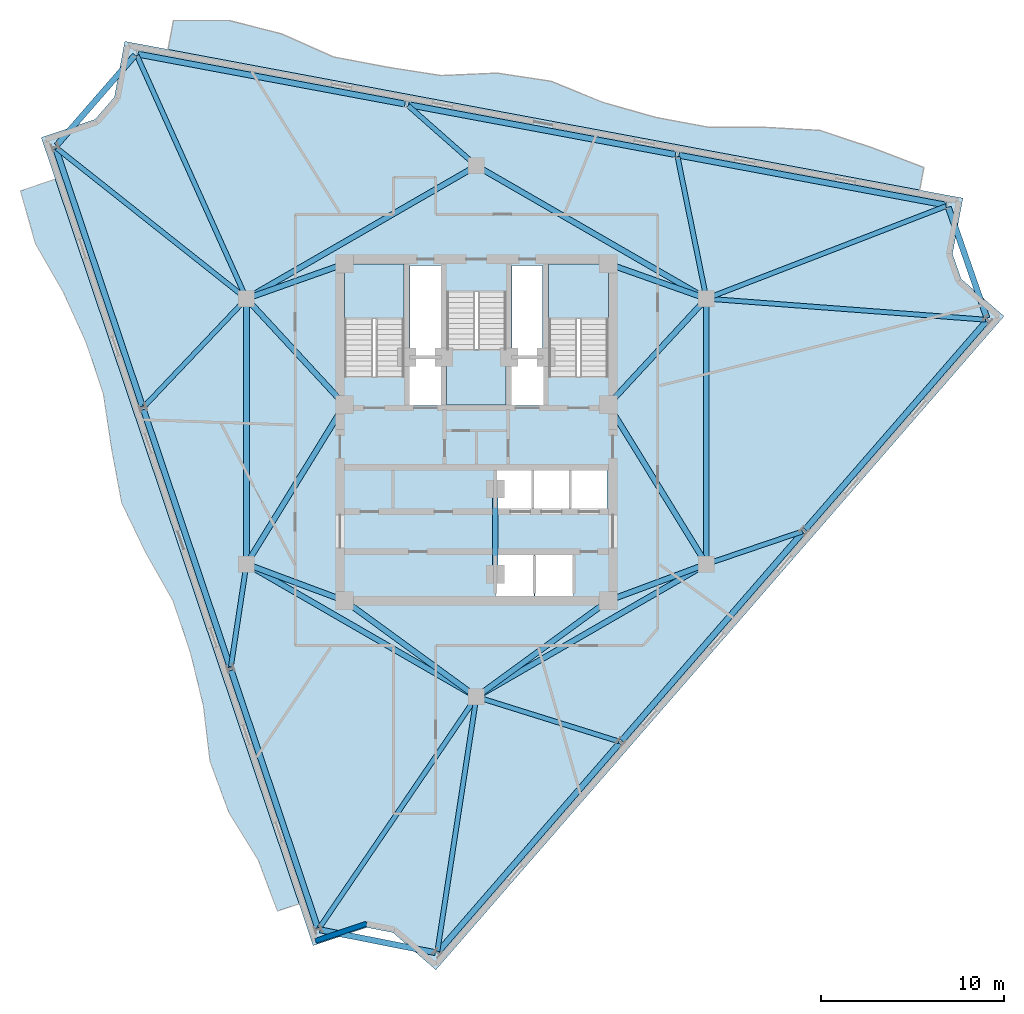
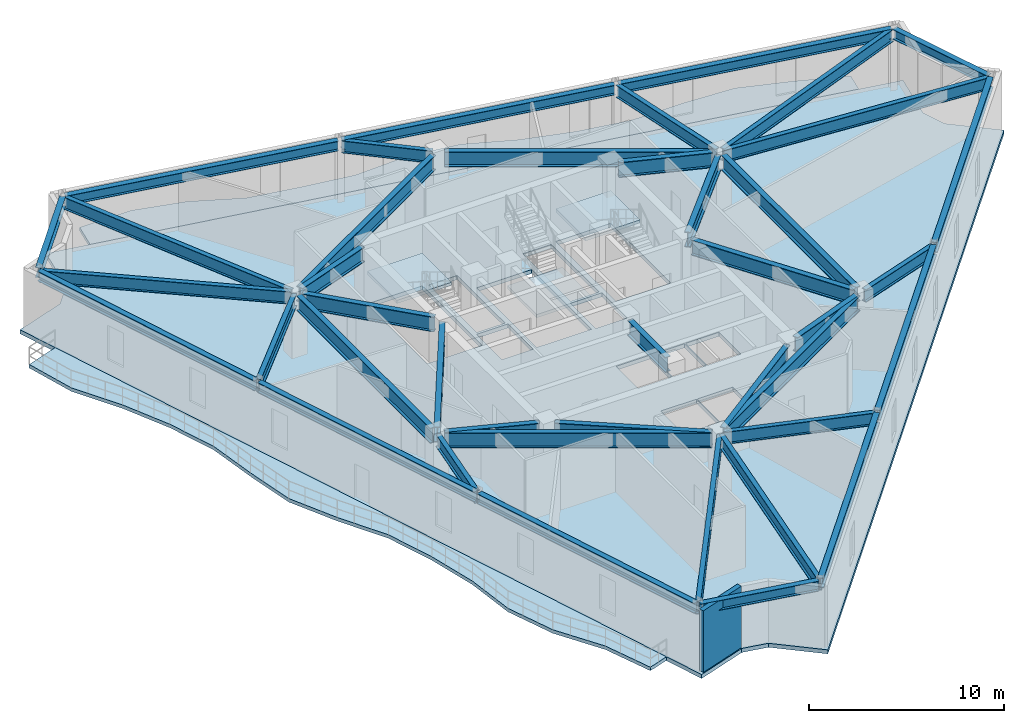
# One storey, part 3 of 9: 41 beams, 6 slabs, 1 wall, 3 elements without a shape of their own.
"""IFC4 building model written with IfcOpenShell, lengths in metres."""

from ifc_helpers import new_model, si_unit, direction, frame, frame_2d, origin, origin_2d, place, context, subcontext, project, spatial, polyline, rectangle, i_section, outline, extrude, material, layer, layer_set, material_profile, profile_set, type_object, element, aggregate, save


model = new_model("IFC4")

# Units and contexts
model_context = context("Model", 3, precision=1e-05, world=origin(), true_north=direction((0.0, 1.0)))
body_context = subcontext(model_context, "Body", "Model", "MODEL_VIEW")
ifc_project = project(units=[si_unit("LENGTHUNIT", "METRE"), si_unit("AREAUNIT", "SQUARE_METRE"), si_unit("VOLUMEUNIT", "CUBIC_METRE"), si_unit("PLANEANGLEUNIT", "RADIAN"), si_unit("MASSUNIT", "GRAM", prefix="KILO")], contexts=[model_context])

# Site, building, storey
site_placement = place(None, origin())
site = spatial("IfcSite", under=ifc_project, at=site_placement, CompositionType="ELEMENT")
building_placement = place(site_placement, origin())
building = spatial("IfcBuilding", under=site, at=building_placement, Name="Apsidion Concourse Tower", CompositionType="ELEMENT")
storey_placement = place(building_placement, frame((0.0, 0.0, 277.800048828125)))
storey = spatial("IfcBuildingStorey", under=building, at=storey_placement, Name="L65", CompositionType="ELEMENT", Elevation=277.800048828125)

# Beams
ifc_material_1 = material(Name="Structural steel ASTM A992 Grade 50", Category="steel")
ifc_material_profile_1 = material_profile(ifc_material_1, i_section(OverallWidth=0.31005859375, OverallDepth=0.931884765625, WebThickness=0.02099609375, FlangeThickness=0.034423828125, at=origin_2d()), Name="W36X210")
ifc_profile_set_1 = profile_set([ifc_material_profile_1], Name="Structural steel ASTM A992 Grade 50")
beam_type_1 = type_object("IfcBeamType", Name="BM-G-W36", PredefinedType="USERDEFINED", material=ifc_profile_set_1)
beam_1_placement = place(storey_placement, frame((-12.185302734375, -7.389892578125, 3.384033203125), z_axis=(0.936913021145, -0.349562570664, 0.0), x_axis=(0.349562570664, 0.936913021145, 0.0)))
element("IfcBeam", 1, at=beam_1_placement, inside=storey, type_object=beam_type_1, Name="L65 Core Coupling Girder IC1-SC1", ObjectType="GIRDER", PredefinedType="USERDEFINED", context=body_context, shape_type="SweptSolid", body=[
    extrude(i_section(OverallWidth=0.31005859375, OverallDepth=0.931884765625, WebThickness=0.02099609375, FlangeThickness=0.034423828125, at=origin_2d()), origin(), (0.0, 0.0, 1.0), 4.921142578125),
])
beam_2_placement = place(storey_placement, frame((-12.35009765625, -6.909423828125, 3.384033203125), z_axis=(0.524524009763, 0.851395656074, 0.0), x_axis=(-0.851395656074, 0.524524009763, 0.0)))
element("IfcBeam", 2, at=beam_2_placement, inside=storey, type_object=beam_type_1, Name="L65 Core Coupling Girder IC1-SC6", ObjectType="GIRDER", PredefinedType="USERDEFINED", context=body_context, shape_type="SweptSolid", body=[
    extrude(i_section(OverallWidth=0.31005859375, OverallDepth=0.931884765625, WebThickness=0.02099609375, FlangeThickness=0.034423828125, at=origin_2d()), origin(), (0.0, 0.0, 1.0), 9.41845703125),
])
beam_3_placement = place(storey_placement, frame((12.185302734375, -7.389892578125, 3.384033203125), z_axis=(-0.936913021145, -0.349562570664, 0.0), x_axis=(0.349562570664, -0.936913021145, 0.0)))
element("IfcBeam", 3, at=beam_3_placement, inside=storey, type_object=beam_type_1, Name="L65 Core Coupling Girder IC2-SC2", ObjectType="GIRDER", PredefinedType="USERDEFINED", context=body_context, shape_type="SweptSolid", body=[
    extrude(i_section(OverallWidth=0.31005859375, OverallDepth=0.931884765625, WebThickness=0.02099609375, FlangeThickness=0.034423828125, at=origin_2d()), origin(), (0.0, 0.0, 1.0), 4.921142578125),
])
beam_4_placement = place(storey_placement, frame((12.35009765625, -6.909423828125, 3.384033203125), z_axis=(-0.524524009763, 0.851395656074, 0.0), x_axis=(-0.851395656074, -0.524524009763, 0.0)))
element("IfcBeam", 4, at=beam_4_placement, inside=storey, type_object=beam_type_1, Name="L65 Core Coupling Girder IC2-SC3", ObjectType="GIRDER", PredefinedType="USERDEFINED", context=body_context, shape_type="SweptSolid", body=[
    extrude(i_section(OverallWidth=0.31005859375, OverallDepth=0.931884765625, WebThickness=0.02099609375, FlangeThickness=0.034423828125, at=origin_2d()), origin(), (0.0, 0.0, 1.0), 9.41845703125),
])
beam_5_placement = place(storey_placement, frame((12.28857421875, 6.956298828125, 3.384033203125), z_axis=(-0.678712876106, -0.73440372535, 0.0), x_axis=(0.73440372535, -0.678712876106, 0.0)))
element("IfcBeam", 5, at=beam_5_placement, inside=storey, type_object=beam_type_1, Name="L65 Core Coupling Girder IC3-SC3", ObjectType="GIRDER", PredefinedType="USERDEFINED", context=body_context, shape_type="SweptSolid", body=[
    extrude(i_section(OverallWidth=0.31005859375, OverallDepth=0.931884765625, WebThickness=0.02099609375, FlangeThickness=0.034423828125, at=origin_2d()), origin(), (0.0, 0.0, 1.0), 7.097412109375),
])
beam_6_placement = place(storey_placement, frame((12.18310546875, 7.383544921875, 3.384033203125), z_axis=(-0.942533844539, 0.334110688094, 0.0), x_axis=(-0.334110688094, -0.942533844539, 0.0)))
element("IfcBeam", 6, at=beam_6_placement, inside=storey, type_object=beam_type_1, Name="L65 Core Coupling Girder IC3-SC4", ObjectType="GIRDER", PredefinedType="USERDEFINED", context=body_context, shape_type="SweptSolid", body=[
    extrude(i_section(OverallWidth=0.31005859375, OverallDepth=0.931884765625, WebThickness=0.02099609375, FlangeThickness=0.034423828125, at=origin_2d()), origin(), (0.0, 0.0, 1.0), 4.886962890625),
])
beam_7_placement = place(storey_placement, frame((-12.28857421875, 6.956298828125, 3.384033203125), z_axis=(0.678712876106, -0.73440372535, 0.0), x_axis=(0.73440372535, 0.678712876106, 0.0)))
element("IfcBeam", 7, at=beam_7_placement, inside=storey, type_object=beam_type_1, Name="L65 Core Coupling Girder IC5-SC6", ObjectType="GIRDER", PredefinedType="USERDEFINED", context=body_context, shape_type="SweptSolid", body=[
    extrude(i_section(OverallWidth=0.31005859375, OverallDepth=0.931884765625, WebThickness=0.02099609375, FlangeThickness=0.034423828125, at=origin_2d()), origin(), (0.0, 0.0, 1.0), 7.097412109375),
])
beam_8_placement = place(storey_placement, frame((-12.18310546875, 7.383544921875, 3.384033203125), z_axis=(0.942533844539, 0.334110688094, 0.0), x_axis=(-0.334110688094, 0.942533844539, 0.0)))
element("IfcBeam", 8, at=beam_8_placement, inside=storey, type_object=beam_type_1, Name="L65 Core Coupling Girder IC5-SC5", ObjectType="GIRDER", PredefinedType="USERDEFINED", context=body_context, shape_type="SweptSolid", body=[
    extrude(i_section(OverallWidth=0.31005859375, OverallDepth=0.931884765625, WebThickness=0.02099609375, FlangeThickness=0.034423828125, at=origin_2d()), origin(), (0.0, 0.0, 1.0), 4.886962890625),
])
for number, where, z_axis, x_axis, name in (
    (9, (-0.3232421875, -14.264404296875, 3.384033203125), (-0.807993498909, 0.589191399905, 0.0), (-0.589191399905, -0.807993498909, 0.0), "L65 Core Coupling Girder IC6-SC1"),
    (10, (0.3232421875, -14.264404296875, 3.384033203125), (0.807993498909, 0.589191399905, 0.0), (-0.589191399905, 0.807993498909, 0.0), "L65 Core Coupling Girder IC6-SC2"),
):
    element("IfcBeam", number, at=place(storey_placement, frame(where, z_axis=z_axis, x_axis=x_axis)), inside=storey, type_object=beam_type_1, Name=name, ObjectType="GIRDER", PredefinedType="USERDEFINED", context=body_context, shape_type="SweptSolid", body=[
        extrude(i_section(OverallWidth=0.31005859375, OverallDepth=0.931884765625, WebThickness=0.02099609375, FlangeThickness=0.034423828125, at=origin_2d()), origin(), (0.0, 0.0, 1.0), 8.11083984375),
    ])
beam_9_placement = place(storey_placement, frame((-12.56005859375, -6.85009765625, 3.384033203125), z_axis=(0.0, 1.0, 0.0), x_axis=(-1.0, 0.0, 0.0)))
element("IfcBeam", 11, at=beam_9_placement, inside=storey, type_object=beam_type_1, Name="L65 Core Coupling Girder IC1-IC5", ObjectType="GIRDER", PredefinedType="USERDEFINED", context=body_context, shape_type="SweptSolid", body=[
    extrude(i_section(OverallWidth=0.31005859375, OverallDepth=0.931884765625, WebThickness=0.02099609375, FlangeThickness=0.034423828125, at=origin_2d()), origin(), (0.0, 0.0, 1.0), 13.7001953125),
])
for number, where, z_axis, x_axis, name in (
    (12, (-12.213623046875, 7.449951171875, 3.384033203125), (0.866070471464, 0.499921932364, 0.0), (-0.499921932364, 0.866070471464, 0.0), "L65 Core Coupling Girder IC5-IC4"),
    (13, (0.346435546875, 14.300048828125, 3.384033203125), (0.866070471464, -0.499921932364, 0.0), (0.499921932364, 0.866070471464, 0.0), "L65 Core Coupling Girder IC4-IC3"),
):
    element("IfcBeam", number, at=place(storey_placement, frame(where, z_axis=z_axis, x_axis=x_axis)), inside=storey, type_object=beam_type_1, Name=name, ObjectType="GIRDER", PredefinedType="USERDEFINED", context=body_context, shape_type="SweptSolid", body=[
        extrude(i_section(OverallWidth=0.31005859375, OverallDepth=0.931884765625, WebThickness=0.02099609375, FlangeThickness=0.034423828125, at=origin_2d()), origin(), (0.0, 0.0, 1.0), 13.702392578125),
    ])
beam_10_placement = place(storey_placement, frame((12.56005859375, 6.85009765625, 3.384033203125), z_axis=(0.0, -1.0, 0.0), x_axis=(1.0, 0.0, 0.0)))
element("IfcBeam", 14, at=beam_10_placement, inside=storey, type_object=beam_type_1, Name="L65 Core Coupling Girder IC3-IC2", ObjectType="GIRDER", PredefinedType="USERDEFINED", context=body_context, shape_type="SweptSolid", body=[
    extrude(i_section(OverallWidth=0.31005859375, OverallDepth=0.931884765625, WebThickness=0.02099609375, FlangeThickness=0.034423828125, at=origin_2d()), origin(), (0.0, 0.0, 1.0), 13.7001953125),
])
for number, where, z_axis, x_axis, name in (
    (15, (12.213623046875, -7.449951171875, 3.384033203125), (-0.866070471464, -0.499921932364, 0.0), (0.499921932364, -0.866070471464, 0.0), "L65 Core Coupling Girder IC2-IC6"),
    (16, (-0.346435546875, -14.300048828125, 3.384033203125), (-0.866070471464, 0.499921932364, 0.0), (-0.499921932364, -0.866070471464, 0.0), "L65 Core Coupling Girder IC6-IC1"),
):
    element("IfcBeam", number, at=place(storey_placement, frame(where, z_axis=z_axis, x_axis=x_axis)), inside=storey, type_object=beam_type_1, Name=name, ObjectType="GIRDER", PredefinedType="USERDEFINED", context=body_context, shape_type="SweptSolid", body=[
        extrude(i_section(OverallWidth=0.31005859375, OverallDepth=0.931884765625, WebThickness=0.02099609375, FlangeThickness=0.034423828125, at=origin_2d()), origin(), (0.0, 0.0, 1.0), 13.702392578125),
    ])
beam_11_placement = place(storey_placement, frame((1.02490234375, -3.550048828125, 3.384033203125), z_axis=(0.0, -1.0, 0.0), x_axis=(1.0, 0.0, 0.0)))
element("IfcBeam", 17, at=beam_11_placement, inside=storey, type_object=beam_type_1, Name="L65 Core Coupling Girder CC5-CC6", ObjectType="GIRDER", PredefinedType="USERDEFINED", context=body_context, shape_type="SweptSolid", body=[
    extrude(i_section(OverallWidth=0.31005859375, OverallDepth=0.931884765625, WebThickness=0.02099609375, FlangeThickness=0.034423828125, at=origin_2d()), origin(), (0.0, 0.0, 1.0), 3.849853515625),
])
ifc_material_profile_2 = material_profile(ifc_material_1, i_section(OverallWidth=0.324951171875, OverallDepth=0.616943359375, WebThickness=0.013916015625, FlangeThickness=0.021484375, at=origin_2d()), Name="W24X117")
ifc_profile_set_2 = profile_set([ifc_material_profile_2], Name="Structural steel ASTM A992 Grade 50")
beam_type_2 = type_object("IfcBeamType", Name="BM-SP-W24", PredefinedType="SPANDREL", material=ifc_profile_set_2)
for number, where, z_axis, x_axis, name in (
    (18, (-22.97265625, 15.436279296875, 3.54150390625), (0.318681523158, -0.947861850059, 0.0), (0.947861850059, 0.318681523158, 0.0), "L65 Perimeter Spandrel Girder SP-01"),
    (19, (-18.18310546875, 1.191162109375, 3.54150390625), (0.318661757859, -0.94786849514, 0.0), (0.94786849514, 0.318661757859, 0.0), "L65 Perimeter Spandrel Girder SP-02"),
    (20, (-13.393798828125, -13.05419921875, 3.54150390625), (0.318681523158, -0.947861850059, 0.0), (0.947861850059, 0.318681523158, 0.0), "L65 Perimeter Spandrel Girder SP-03"),
):
    element("IfcBeam", number, at=place(storey_placement, frame(where, z_axis=z_axis, x_axis=x_axis)), inside=storey, type_object=beam_type_2, Name=name, PredefinedType="SPANDREL", context=body_context, shape_type="SweptSolid", body=[
        extrude(i_section(OverallWidth=0.324951171875, OverallDepth=0.616943359375, WebThickness=0.013916015625, FlangeThickness=0.021484375, at=origin_2d()), origin(), (0.0, 0.0, 1.0), 14.82861328125),
    ])
beam_12_placement = place(storey_placement, frame((-8.538330078125, -27.223876953125, 3.54150390625), z_axis=(0.980920203242, -0.194410788981, 0.0), x_axis=(0.194410788981, 0.980920203242, 0.0)))
element("IfcBeam", 21, at=beam_12_placement, inside=storey, type_object=beam_type_2, Name="L65 Perimeter Spandrel Girder SP-04", PredefinedType="SPANDREL", context=body_context, shape_type="SweptSolid", body=[
    extrude(i_section(OverallWidth=0.324951171875, OverallDepth=0.616943359375, WebThickness=0.013916015625, FlangeThickness=0.021484375, at=origin_2d()), origin(), (0.0, 0.0, 1.0), 6.415771484375),
])
beam_13_placement = place(storey_placement, frame((-2.081298828125, -28.4150390625, 3.54150390625), z_axis=(0.656066832384, 0.754702796766, 0.0), x_axis=(-0.754702796766, 0.656066832384, 0.0)))
element("IfcBeam", 22, at=beam_13_placement, inside=storey, type_object=beam_type_2, Name="L65 Perimeter Spandrel Girder SP-05", PredefinedType="SPANDREL", context=body_context, shape_type="SweptSolid", body=[
    extrude(i_section(OverallWidth=0.324951171875, OverallDepth=0.616943359375, WebThickness=0.013916015625, FlangeThickness=0.021484375, at=origin_2d()), origin(), (0.0, 0.0, 1.0), 15.07373046875),
])
for number, where, z_axis, x_axis, name in (
    (23, (7.939208984375, -16.8876953125, 3.54150390625), (0.656074851848, 0.754695825332, 0.0), (-0.754695825332, 0.656074851848, 0.0), "L65 Perimeter Spandrel Girder SP-06"),
    (24, (17.959716796875, -5.360595703125, 3.54150390625), (0.656065626683, 0.754703844885, 0.0), (-0.754703844885, 0.656065626683, 0.0), "L65 Perimeter Spandrel Girder SP-07"),
):
    element("IfcBeam", number, at=place(storey_placement, frame(where, z_axis=z_axis, x_axis=x_axis)), inside=storey, type_object=beam_type_2, Name=name, PredefinedType="SPANDREL", context=body_context, shape_type="SweptSolid", body=[
        extrude(i_section(OverallWidth=0.324951171875, OverallDepth=0.616943359375, WebThickness=0.013916015625, FlangeThickness=0.021484375, at=origin_2d()), origin(), (0.0, 0.0, 1.0), 15.073486328125),
    ])
beam_14_placement = place(storey_placement, frame((27.881591796875, 6.185302734375, 3.54150390625), z_axis=(-0.328995813691, 0.944331379641, 0.0), x_axis=(-0.944331379641, -0.328995813691, 0.0)))
element("IfcBeam", 25, at=beam_14_placement, inside=storey, type_object=beam_type_2, Name="L65 Perimeter Spandrel Girder SP-08", PredefinedType="SPANDREL", context=body_context, shape_type="SweptSolid", body=[
    extrude(i_section(OverallWidth=0.324951171875, OverallDepth=0.616943359375, WebThickness=0.013916015625, FlangeThickness=0.021484375, at=origin_2d()), origin(), (0.0, 0.0, 1.0), 6.416015625),
])
beam_15_placement = place(storey_placement, frame((25.639404296875, 12.35693359375, 3.54150390625), z_axis=(-0.982990339522, 0.183657268861, 0.0), x_axis=(-0.183657268861, -0.982990339522, 0.0)))
element("IfcBeam", 26, at=beam_15_placement, inside=storey, type_object=beam_type_2, Name="L65 Perimeter Spandrel Girder SP-09", PredefinedType="SPANDREL", context=body_context, shape_type="SweptSolid", body=[
    extrude(i_section(OverallWidth=0.324951171875, OverallDepth=0.616943359375, WebThickness=0.013916015625, FlangeThickness=0.021484375, at=origin_2d()), origin(), (0.0, 0.0, 1.0), 14.82861328125),
])
for number, where, z_axis, x_axis, name in (
    (27, (10.866455078125, 15.1171875, 3.54150390625), (-0.982990894844, 0.183654296586, 0.0), (-0.183654296586, -0.982990894844, 0.0), "L65 Perimeter Spandrel Girder SP-10"),
    (28, (-3.90673828125, 17.877197265625, 3.54150390625), (-0.982990894844, 0.183654296586, 0.0), (-0.183654296586, -0.982990894844, 0.0), "L65 Perimeter Spandrel Girder SP-11"),
):
    element("IfcBeam", number, at=place(storey_placement, frame(where, z_axis=z_axis, x_axis=x_axis)), inside=storey, type_object=beam_type_2, Name=name, PredefinedType="SPANDREL", context=body_context, shape_type="SweptSolid", body=[
        extrude(i_section(OverallWidth=0.324951171875, OverallDepth=0.616943359375, WebThickness=0.013916015625, FlangeThickness=0.021484375, at=origin_2d()), origin(), (0.0, 0.0, 1.0), 14.828857421875),
    ])
beam_16_placement = place(storey_placement, frame((-18.647216796875, 20.543701171875, 3.54150390625), z_axis=(-0.656065057343, -0.754704339814, 0.0), x_axis=(0.754704339814, -0.656065057343, 0.0)))
element("IfcBeam", 29, at=beam_16_placement, inside=storey, type_object=beam_type_2, Name="L65 Perimeter Spandrel Girder SP-12", PredefinedType="SPANDREL", context=body_context, shape_type="SweptSolid", body=[
    extrude(i_section(OverallWidth=0.324951171875, OverallDepth=0.616943359375, WebThickness=0.013916015625, FlangeThickness=0.021484375, at=origin_2d()), origin(), (0.0, 0.0, 1.0), 6.541748046875),
])
ifc_material_profile_3 = material_profile(ifc_material_1, i_section(OverallWidth=0.26806640625, OverallDepth=0.77001953125, WebThickness=0.015625, FlangeThickness=0.025390625, at=origin_2d()), Name="W30X132")
ifc_profile_set_3 = profile_set([ifc_material_profile_3], Name="Structural steel ASTM A992 Grade 50")
beam_type_3 = type_object("IfcBeamType", Name="BM-SP-W30", PredefinedType="SPANDREL", material=ifc_profile_set_3)
beam_17_placement = place(storey_placement, frame((-12.732421875, 7.38671875, 3.46484375), z_axis=(-0.783584000329, 0.621285855648, 0.0), x_axis=(-0.621285855648, -0.783584000329, 0.0)))
element("IfcBeam", 30, at=beam_17_placement, inside=storey, type_object=beam_type_3, Name="L65 Radial Floor Girder RAD-01", PredefinedType="SPANDREL", context=body_context, shape_type="SweptSolid", body=[
    extrude(i_section(OverallWidth=0.26806640625, OverallDepth=0.77001953125, WebThickness=0.015625, FlangeThickness=0.025390625, at=origin_2d()), origin(), (0.0, 0.0, 1.0), 13.009033203125),
])
beam_18_placement = place(storey_placement, frame((-12.71142578125, 7.09033203125, 3.46484375), z_axis=(-0.688064364837, -0.72564966054, 0.0), x_axis=(0.72564966054, -0.688064364837, 0.0)))
element("IfcBeam", 31, at=beam_18_placement, inside=storey, type_object=beam_type_3, Name="L65 Radial Floor Girder RAD-02", PredefinedType="SPANDREL", context=body_context, shape_type="SweptSolid", body=[
    extrude(i_section(OverallWidth=0.26806640625, OverallDepth=0.77001953125, WebThickness=0.015625, FlangeThickness=0.025390625, at=origin_2d()), origin(), (0.0, 0.0, 1.0), 7.898681640625),
])
beam_19_placement = place(storey_placement, frame((-12.593017578125, -7.467529296875, 3.46484375), z_axis=(-0.149944598724, -0.988694400365, 0.0), x_axis=(0.988694400365, -0.149944598724, 0.0)))
element("IfcBeam", 32, at=beam_19_placement, inside=storey, type_object=beam_type_3, Name="L65 Radial Floor Girder RAD-03", PredefinedType="SPANDREL", context=body_context, shape_type="SweptSolid", body=[
    extrude(i_section(OverallWidth=0.26806640625, OverallDepth=0.77001953125, WebThickness=0.015625, FlangeThickness=0.025390625, at=origin_2d()), origin(), (0.0, 0.0, 1.0), 5.45458984375),
])
beam_20_placement = place(storey_placement, frame((-0.123779296875, -14.681884765625, 3.46484375), z_axis=(-0.56217993865, -0.827014943383, 0.0), x_axis=(0.827014943383, -0.56217993865, 0.0)))
element("IfcBeam", 33, at=beam_20_placement, inside=storey, type_object=beam_type_3, Name="L65 Radial Floor Girder RAD-04", PredefinedType="SPANDREL", context=body_context, shape_type="SweptSolid", body=[
    extrude(i_section(OverallWidth=0.26806640625, OverallDepth=0.77001953125, WebThickness=0.015625, FlangeThickness=0.025390625, at=origin_2d()), origin(), (0.0, 0.0, 1.0), 15.0419921875),
])
beam_21_placement = place(storey_placement, frame((-0.033447265625, -14.717529296875, 3.46484375), z_axis=(-0.151664637663, -0.988432009641, 0.0), x_axis=(0.988432009641, -0.151664637663, 0.0)))
element("IfcBeam", 34, at=beam_21_placement, inside=storey, type_object=beam_type_3, Name="L65 Radial Floor Girder RAD-05", PredefinedType="SPANDREL", context=body_context, shape_type="SweptSolid", body=[
    extrude(i_section(OverallWidth=0.26806640625, OverallDepth=0.77001953125, WebThickness=0.015625, FlangeThickness=0.025390625, at=origin_2d()), origin(), (0.0, 0.0, 1.0), 13.833984375),
])
beam_22_placement = place(storey_placement, frame((0.2099609375, -14.565673828125, 3.46484375), z_axis=(0.954387901166, -0.298569479532, 0.0), x_axis=(0.298569479532, 0.954387901166, 0.0)))
element("IfcBeam", 35, at=beam_22_placement, inside=storey, type_object=beam_type_3, Name="L65 Radial Floor Girder RAD-06", PredefinedType="SPANDREL", context=body_context, shape_type="SweptSolid", body=[
    extrude(i_section(OverallWidth=0.26806640625, OverallDepth=0.77001953125, WebThickness=0.015625, FlangeThickness=0.025390625, at=origin_2d()), origin(), (0.0, 0.0, 1.0), 7.93017578125),
])
beam_23_placement = place(storey_placement, frame((12.768310546875, -7.17919921875, 3.46484375), z_axis=(0.946764063089, 0.321928266612, 0.0), x_axis=(-0.321928266612, 0.946764063089, 0.0)))
element("IfcBeam", 36, at=beam_23_placement, inside=storey, type_object=beam_type_3, Name="L65 Radial Floor Girder RAD-07", PredefinedType="SPANDREL", context=body_context, shape_type="SweptSolid", body=[
    extrude(i_section(OverallWidth=0.26806640625, OverallDepth=0.77001953125, WebThickness=0.015625, FlangeThickness=0.025390625, at=origin_2d()), origin(), (0.0, 0.0, 1.0), 5.31396484375),
])
beam_24_placement = place(storey_placement, frame((12.779296875, 7.2333984375, 3.46484375), z_axis=(0.997162813541, -0.075274984495, 0.0), x_axis=(0.075274984495, 0.997162813541, 0.0)))
element("IfcBeam", 37, at=beam_24_placement, inside=storey, type_object=beam_type_3, Name="L65 Radial Floor Girder RAD-08", PredefinedType="SPANDREL", context=body_context, shape_type="SweptSolid", body=[
    extrude(i_section(OverallWidth=0.26806640625, OverallDepth=0.77001953125, WebThickness=0.015625, FlangeThickness=0.025390625, at=origin_2d()), origin(), (0.0, 0.0, 1.0), 15.078125),
])
beam_25_placement = place(storey_placement, frame((12.76513671875, 7.3291015625, 3.46484375), z_axis=(0.932864861943, 0.360226525053, 0.0), x_axis=(-0.360226525053, 0.932864861943, 0.0)))
element("IfcBeam", 38, at=beam_25_placement, inside=storey, type_object=beam_type_3, Name="L65 Radial Floor Girder RAD-09", PredefinedType="SPANDREL", context=body_context, shape_type="SweptSolid", body=[
    extrude(i_section(OverallWidth=0.26806640625, OverallDepth=0.77001953125, WebThickness=0.015625, FlangeThickness=0.025390625, at=origin_2d()), origin(), (0.0, 0.0, 1.0), 13.806396484375),
])
beam_26_placement = place(storey_placement, frame((12.51611328125, 7.465576171875, 3.46484375), z_axis=(-0.199174271345, 0.97996408589, 0.0), x_axis=(-0.97996408589, -0.199174271345, 0.0)))
element("IfcBeam", 39, at=beam_26_placement, inside=storey, type_object=beam_type_3, Name="L65 Radial Floor Girder RAD-10", PredefinedType="SPANDREL", context=body_context, shape_type="SweptSolid", body=[
    extrude(i_section(OverallWidth=0.26806640625, OverallDepth=0.77001953125, WebThickness=0.015625, FlangeThickness=0.025390625, at=origin_2d()), origin(), (0.0, 0.0, 1.0), 7.689208984375),
])
beam_27_placement = place(storey_placement, frame((-0.1650390625, 14.6455078125, 3.46484375), z_axis=(-0.749977100091, 0.661463792917, 0.0), x_axis=(-0.661463792917, -0.749977100091, 0.0)))
element("IfcBeam", 40, at=beam_27_placement, inside=storey, type_object=beam_type_3, Name="L65 Radial Floor Girder RAD-11", PredefinedType="SPANDREL", context=body_context, shape_type="SweptSolid", body=[
    extrude(i_section(OverallWidth=0.26806640625, OverallDepth=0.77001953125, WebThickness=0.015625, FlangeThickness=0.025390625, at=origin_2d()), origin(), (0.0, 0.0, 1.0), 4.758056640625),
])
beam_28_placement = place(storey_placement, frame((-12.650390625, 7.45068359375, 3.46484375), z_axis=(-0.410678909967, 0.911780035375, 0.0), x_axis=(-0.911780035375, -0.410678909967, 0.0)))
element("IfcBeam", 41, at=beam_28_placement, inside=storey, type_object=beam_type_3, Name="L65 Radial Floor Girder RAD-12", PredefinedType="SPANDREL", context=body_context, shape_type="SweptSolid", body=[
    extrude(i_section(OverallWidth=0.26806640625, OverallDepth=0.77001953125, WebThickness=0.015625, FlangeThickness=0.025390625, at=origin_2d()), origin(), (0.0, 0.0, 1.0), 14.342529296875),
])

# Slabs
ifc_material_2 = material(Name="Concrete C50/60", Category="concrete")
ifc_layer_1 = layer(ifc_material_2, 0.219970703125)
ifc_layer_set_1 = layer_set([ifc_layer_1], Name="Concrete C50/60")
slab_type_1 = type_object("IfcSlabType", Name="SL-BAL-220", PredefinedType="FLOOR", material=ifc_layer_set_1)
slab_1_placement = place(storey_placement, frame((0.0, 0.0, -0.219970703125)))
element("IfcSlab", 42, at=slab_1_placement, inside=storey, type_object=slab_type_1, Name="L65 Face 3 Rippling Balcony Slab", PredefinedType="FLOOR", context=body_context, shape_type="SweptSolid", body=[
    extrude(outline(polyline([(24.208251953125, 13.178955078125), (21.276123046875, 13.7275390625), (18.343994140625, 14.27587890625), (15.41162109375, 14.824462890625), (12.4794921875, 15.373046875), (9.54736328125, 15.921630859375), (6.615234375, 16.47021484375), (3.68310546875, 17.018798828125), (0.750732421875, 17.567138671875), (-2.181396484375, 18.11572265625), (-5.113525390625, 18.664306640625), (-8.045654296875, 19.212890625), (-10.977783203125, 19.761474609375), (-13.91015625, 20.309814453125), (-16.84228515625, 20.8583984375), (-16.546142578125, 22.44140625), (-13.510986328125, 22.442626953125), (-10.615478515625, 21.69921875), (-7.814453125, 20.449462890625), (-4.8837890625, 19.89306640625), (-1.935302734375, 19.4306640625), (1.124755859375, 19.56591796875), (4.076171875, 19.12060546875), (6.8955078125, 17.96826171875), (9.777099609375, 17.150390625), (12.70947265625, 16.601806640625), (15.74462890625, 16.6044921875), (18.748291015625, 16.4384765625), (21.606201171875, 15.49169921875), (24.43798828125, 14.40771484375), (24.208251953125, 13.178955078125)])), origin(), (0.0, 0.0, 1.0), 0.219970703125),
])
slab_2_placement = place(storey_placement, frame((0.0, 0.0, -0.219970703125)))
element("IfcSlab", 43, at=slab_2_placement, inside=storey, type_object=slab_type_1, Name="L65 Face 1 Rippling Balcony Slab", PredefinedType="FLOOR", context=body_context, shape_type="SweptSolid", body=[
    extrude(outline(polyline([(-22.99951171875, 13.775390625), (-22.048095703125, 10.947998046875), (-21.096923828125, 8.12060546875), (-20.1455078125, 5.29345703125), (-19.1943359375, 2.466064453125), (-18.242919921875, -0.361083984375), (-17.291748046875, -3.1884765625), (-16.340576171875, -6.015869140625), (-15.38916015625, -8.843017578125), (-14.43798828125, -11.67041015625), (-13.486572265625, -14.49755859375), (-12.535400390625, -17.324951171875), (-11.583984375, -20.152099609375), (-10.6328125, -22.9794921875), (-9.681396484375, -25.806884765625), (-10.8662109375, -26.205322265625), (-11.916259765625, -23.411376953125), (-13.522216796875, -20.80419921875), (-14.5546875, -18.00439453125), (-14.914794921875, -14.97802734375), (-15.62255859375, -12.069091796875), (-16.573974609375, -9.24169921875), (-18.071533203125, -6.59814453125), (-19.37646484375, -3.889892578125), (-19.9287109375, -0.928466796875), (-20.37890625, 2.0673828125), (-21.330322265625, 4.894775390625), (-22.57421875, 7.623779296875), (-24.087890625, 10.26171875), (-24.904052734375, 13.134521484375), (-22.99951171875, 13.775390625)])), origin(), (0.0, 0.0, 1.0), 0.219970703125),
])
ifc_layer_2 = layer(ifc_material_2, 0.25)
ifc_layer_set_2 = layer_set([ifc_layer_2], Name="Concrete C50/60")
slab_type_2 = type_object("IfcSlabType", Name="SL-FLR-250", PredefinedType="FLOOR", material=ifc_layer_set_2)
slab_3_placement = place(storey_placement, frame((0.0, 0.0, -0.25)))
element("IfcSlab", 44, at=slab_3_placement, inside=storey, type_object=slab_type_2, Name="L65 Structural Floor Slab", PredefinedType="FLOOR", context=body_context, shape_type="SweptSolid", body=[
    extrude(outline(polyline([(-19.201416015625, 21.2998046875), (-19.771484375, 18.251220703125), (-20.825439453125, 17.0390625), (-23.764892578125, 16.050048828125), (-8.916015625, -28.08154296875), (-5.976806640625, -27.092529296875), (-4.556640625, -27.373779296875), (-2.216064453125, -29.408447265625), (28.813720703125, 6.287353515625), (26.47314453125, 8.322021484375), (25.9970703125, 9.689208984375), (26.5673828125, 12.737548828125), (-19.201416015625, 21.2998046875)]), holes=[polyline([(-3.949951171875, 3.0), (-3.949951171875, 9.14990234375), (-7.199951171875, 9.14990234375), (-7.199951171875, 3.0), (-3.949951171875, 3.0)]), polyline([(7.199951171875, 3.0), (7.199951171875, 9.14990234375), (3.949951171875, 9.14990234375), (3.949951171875, 3.0), (7.199951171875, 3.0)]), polyline([(-1.625, 7.60009765625), (-1.625, 1.449951171875), (1.625, 1.449951171875), (1.625, 7.60009765625), (-1.625, 7.60009765625)]), polyline([(1.054931640625, -4.300048828125), (3.044921875, -4.300048828125), (3.044921875, -2.050048828125), (1.054931640625, -2.050048828125), (1.054931640625, -4.300048828125)]), polyline([(3.10498046875, -4.300048828125), (5.094970703125, -4.300048828125), (5.094970703125, -2.050048828125), (3.10498046875, -2.050048828125), (3.10498046875, -4.300048828125)]), polyline([(5.155029296875, -4.300048828125), (7.14501953125, -4.300048828125), (7.14501953125, -2.050048828125), (5.155029296875, -2.050048828125), (5.155029296875, -4.300048828125)]), polyline([(1.044921875, -9.0), (3.155029296875, -9.0), (3.155029296875, -6.64990234375), (1.044921875, -6.64990234375), (1.044921875, -9.0)]), polyline([(3.195068359375, -9.0), (5.304931640625, -9.0), (5.304931640625, -6.64990234375), (3.195068359375, -6.64990234375), (3.195068359375, -9.0)]), polyline([(-3.7099609375, 1.39990234375), (-1.85009765625, 1.39990234375), (-1.85009765625, 4.0), (-3.7099609375, 4.0), (-3.7099609375, 1.39990234375)]), polyline([(1.85009765625, 1.39990234375), (3.7099609375, 1.39990234375), (3.7099609375, 4.0), (1.85009765625, 4.0), (1.85009765625, 1.39990234375)]), polyline([(-3.6201171875, 4.14990234375), (-1.93994140625, 4.14990234375), (-1.93994140625, 9.050048828125), (-3.6201171875, 9.050048828125), (-3.6201171875, 4.14990234375)]), polyline([(1.93994140625, 4.14990234375), (3.6201171875, 4.14990234375), (3.6201171875, 9.050048828125), (1.93994140625, 9.050048828125), (1.93994140625, 4.14990234375)])]), origin(), (0.0, 0.0, 1.0), 0.25),
])

# Stair, slab
ifc_material_3 = material(Name="Precast concrete C40/50", Category="concrete")
stair_type = type_object("IfcStairType", Name="ST-DL-1550", PredefinedType="HALF_TURN_STAIR", material=ifc_material_3)
stair_1_placement = place(storey_placement, origin())
stair_1 = element("IfcStair", 45, at=stair_1_placement, inside=storey, type_object=stair_type, Name="L65 Protected Core Exit Stair ST1", PredefinedType="HALF_TURN_STAIR")
ifc_layer_3 = layer(ifc_material_2, 0.199951171875)
ifc_layer_set_3 = layer_set([ifc_layer_3], Name="Concrete C50/60")
slab_type_3 = type_object("IfcSlabType", Name="SL-ST-LAND-200", PredefinedType="LANDING", material=ifc_layer_set_3)
slab_4_placement = place(storey_placement, frame((0.0, 0.0, 1.849853515625)))
slab_4 = element("IfcSlab", 46, at=slab_4_placement, type_object=slab_type_3, Name="ST1 landing 1", PredefinedType="LANDING", context=body_context, shape_type="SweptSolid", body=[
    extrude(outline(polyline([(-3.949951171875, 6.135009765625), (-3.949951171875, 9.14990234375), (-7.199951171875, 9.14990234375), (-7.199951171875, 6.135009765625), (-3.949951171875, 6.135009765625)])), origin(), (0.0, 0.0, 1.0), 0.2001953125),
])
aggregate(stair_1, [slab_4])

stair_2_placement = place(storey_placement, origin())
stair_2 = element("IfcStair", 47, at=stair_2_placement, inside=storey, type_object=stair_type, Name="L65 Protected Core Exit Stair ST2", PredefinedType="HALF_TURN_STAIR")
slab_5_placement = place(storey_placement, frame((0.0, 0.0, 1.849853515625)))
slab_5 = element("IfcSlab", 48, at=slab_5_placement, type_object=slab_type_3, Name="ST2 landing 1", PredefinedType="LANDING", context=body_context, shape_type="SweptSolid", body=[
    extrude(outline(polyline([(7.199951171875, 6.135009765625), (7.199951171875, 9.14990234375), (3.949951171875, 9.14990234375), (3.949951171875, 6.135009765625), (7.199951171875, 6.135009765625)])), origin(), (0.0, 0.0, 1.0), 0.2001953125),
])
aggregate(stair_2, [slab_5])

stair_3_placement = place(storey_placement, origin())
stair_3 = element("IfcStair", 49, at=stair_3_placement, inside=storey, type_object=stair_type, Name="L65 Protected Core Exit Stair ST3", PredefinedType="HALF_TURN_STAIR")
slab_6_placement = place(storey_placement, frame((0.0, 0.0, 1.849853515625)))
slab_6 = element("IfcSlab", 50, at=slab_6_placement, type_object=slab_type_3, Name="ST3 landing 1", PredefinedType="LANDING", context=body_context, shape_type="SweptSolid", body=[
    extrude(outline(polyline([(-1.625, 4.465087890625), (-1.625, 1.449951171875), (1.625, 1.449951171875), (1.625, 4.465087890625), (-1.625, 4.465087890625)])), origin(), (0.0, 0.0, 1.0), 0.2001953125),
])
aggregate(stair_3, [slab_6])

# Wall
ifc_layer_4 = layer(ifc_material_3, 0.280029296875)
ifc_layer_set_4 = layer_set([ifc_layer_4], Name="Precast concrete C40/50")
wall_type = type_object("IfcWallType", Name="WL-EXT-280", PredefinedType="STANDARD", material=ifc_layer_set_4)
wall_placement = place(storey_placement, frame((-5.989990234375, -26.885986328125, 0.0), z_axis=(0.0, 0.0, 1.0), x_axis=(-0.947795421507, -0.318879035013, 0.0)))
element("IfcWall", 51, at=wall_placement, inside=storey, type_object=wall_type, Name="L65 Precast Stone Facade Wall 08", PredefinedType="STANDARD", context=body_context, shape_type="SweptSolid", body=[
    extrude(rectangle(XDim=2.95458984375, YDim=0.280029296875, at=frame_2d((1.477294921875, 0.0))), origin(), (0.0, 0.0, 1.0), 3.849853515625),
])

save(model, "model.ifc")
